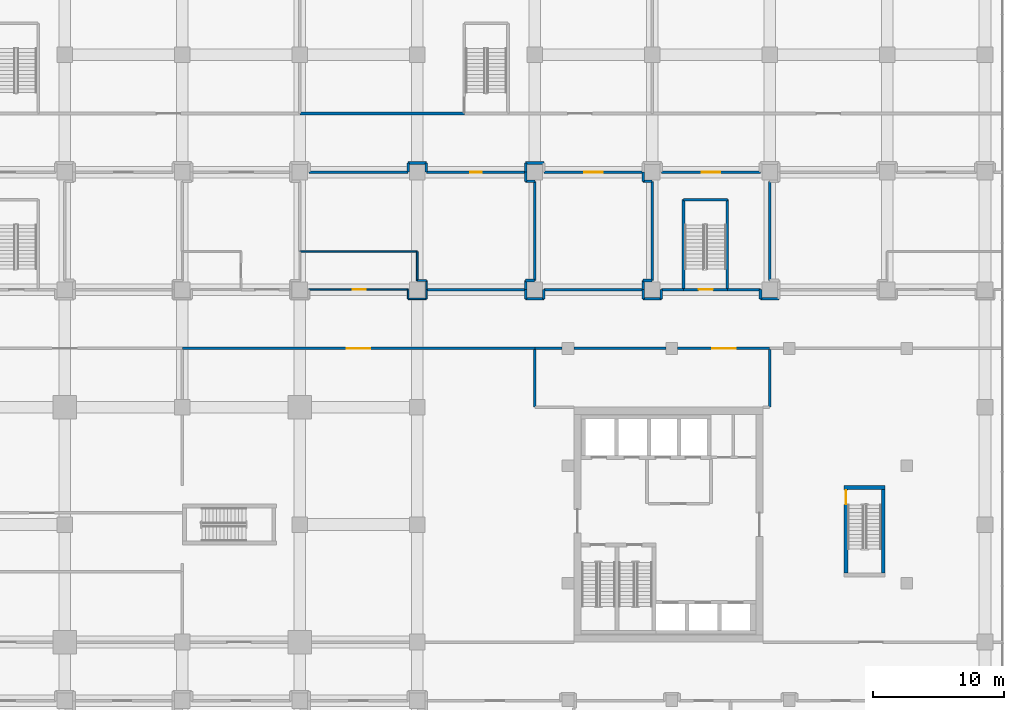
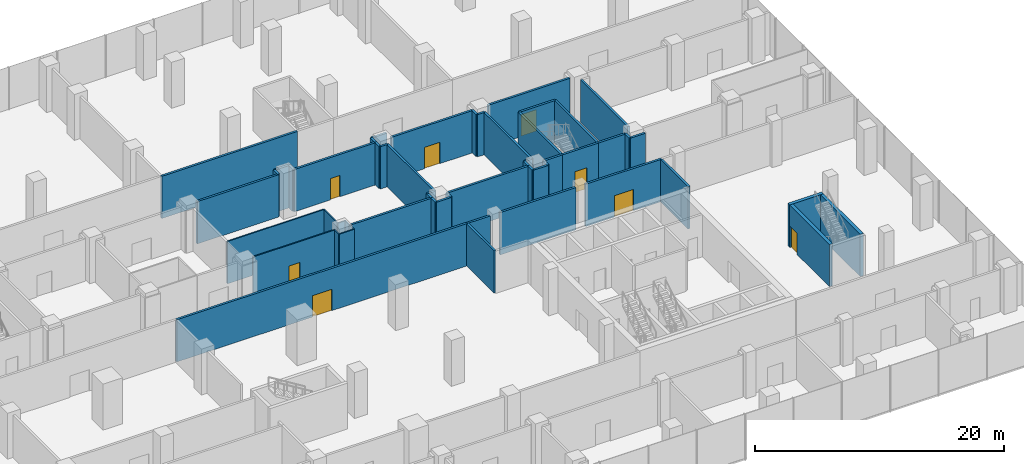
# One storey, part 35 of 43: 54 walls, 8 doors, 8 openings.
"""IFC4 building model written with IfcOpenShell, lengths in metres."""

from ifc_helpers import new_model, si_unit, direction, frame, frame_2d, origin, place, context, subcontext, project, spatial, rectangle, extrude, material, layer, layer_set, type_object, element, fill, save


model = new_model("IFC4")

# Units and contexts
model_context = context("Model", 3, precision=1e-05, world=origin(), true_north=direction((0.0, 1.0)))
body_context = subcontext(model_context, "Body", "Model", "MODEL_VIEW")
ifc_project = project(units=[si_unit("LENGTHUNIT", "METRE"), si_unit("AREAUNIT", "SQUARE_METRE"), si_unit("VOLUMEUNIT", "CUBIC_METRE"), si_unit("PLANEANGLEUNIT", "RADIAN"), si_unit("MASSUNIT", "GRAM", prefix="KILO")], contexts=[model_context])

# Site, building, storey
site_placement = place(None, origin())
site = spatial("IfcSite", under=ifc_project, at=site_placement, CompositionType="ELEMENT")
building_placement = place(site_placement, origin())
building = spatial("IfcBuilding", under=site, at=building_placement, Name="Plateau Cross Towers", CompositionType="ELEMENT")
storey_placement = place(building_placement, frame((0.0, 0.0, 17.300048828125)))
storey = spatial("IfcBuildingStorey", under=building, at=storey_placement, Name="L03", CompositionType="ELEMENT", Elevation=17.300048828125)

# Wall, opening, door
ifc_material_1 = material(Name="Concrete C60/75", Category="concrete")
ifc_layer_1 = layer(ifc_material_1, 0.300048828125)
ifc_layer_set_1 = layer_set([ifc_layer_1], Name="Concrete C60/75")
wall_type_1 = type_object("IfcWallType", Name="Core shaft wall 300", PredefinedType="SHEAR", material=ifc_layer_set_1)
wall_1_placement = place(storey_placement, frame((95.85009765625, 5.300048828125, 0.0), z_axis=(0.0, 0.0, 1.0), x_axis=(0.0, 1.0, 0.0)))
wall_1 = element("IfcWall", 1, at=wall_1_placement, inside=storey, type_object=wall_type_1, Name="B-sb3-W@L03", PredefinedType="SHEAR", context=body_context, shape_type="SweptSolid", body=[
    extrude(rectangle(XDim=6.39990234375, YDim=0.300048828125, at=frame_2d((3.199951171875, 0.0))), origin(), (0.0, 0.0, 1.0), 4.14990234375),
])
opening_1_placement = place(wall_1_placement, frame((5.25, 0.0, 0.0)))
opening_1 = element("IfcOpeningElement", 2, at=opening_1_placement, cuts=wall_1, Name="Opening SD", PredefinedType="OPENING", context=body_context, shape_type="SweptSolid", body=[
    extrude(rectangle(XDim=1.10009765625, YDim=2.10009765625, at=frame_2d((0.550048828125, 1.050048828125))), frame((0.0, 0.159912109375, 0.0), z_axis=(0.0, -1.0, 0.0), x_axis=(1.0, 0.0, 0.0)), (0.0, 0.0, 1.0), 0.320068359375),
])
ifc_material_2 = material(Name="Steel, fire-resisting leaf", Category="steel")
door_type_1 = type_object("IfcDoorType", Name="Stair door 1100", OperationType="NOTDEFINED", PredefinedType="DOOR", material=ifc_material_2)
door_1_placement = place(opening_1_placement, origin())
door_1 = element("IfcDoor", 3, at=door_1_placement, inside=storey, type_object=door_type_1, Name="Stair door SD", OperationType="SINGLE_SWING_LEFT", OverallHeight=2.10009765625, OverallWidth=1.10009765625, PredefinedType="DOOR", context=body_context, shape_type="SweptSolid", body=[
    extrude(rectangle(XDim=1.10009765625, YDim=2.10009765625, at=frame_2d((0.550048828125, 1.050048828125))), frame((0.0, 0.02490234375, 0.0), z_axis=(0.0, -1.0, 0.0), x_axis=(1.0, 0.0, 0.0)), (0.0, 0.0, 1.0), 0.050048828125),
])
fill(opening_1, door_1)

# Walls
wall_2_placement = place(storey_placement, frame((98.699951171875, 5.300048828125, 0.0), z_axis=(0.0, 0.0, 1.0), x_axis=(0.0, 1.0, 0.0)))
element("IfcWall", 4, at=wall_2_placement, inside=storey, type_object=wall_type_1, Name="B-sb3-E@L03", PredefinedType="SHEAR", context=body_context, shape_type="SweptSolid", body=[
    extrude(rectangle(XDim=6.39990234375, YDim=0.300048828125, at=frame_2d((3.199951171875, 0.0))), origin(), (0.0, 0.0, 1.0), 4.14990234375),
])
wall_3_placement = place(storey_placement, frame((95.699951171875, 11.85009765625, 0.0), z_axis=(0.0, 0.0, 1.0), x_axis=(1.0, 0.0, 0.0)))
element("IfcWall", 5, at=wall_3_placement, inside=storey, type_object=wall_type_1, Name="B-sb3-N@L03", PredefinedType="SHEAR", context=body_context, shape_type="SweptSolid", body=[
    extrude(rectangle(XDim=3.150146484375, YDim=0.300048828125, at=frame_2d((1.5751953125, 0.0))), origin(), (0.0, 0.0, 1.0), 4.14990234375),
])

# Wall, opening, door
ifc_material_3 = material(Name="Gypsum board on steel studs, two layers each side", Category="steel")
ifc_layer_2 = layer(ifc_material_3, 0.199951171875)
ifc_layer_set_2 = layer_set([ifc_layer_2], Name="Gypsum board on steel studs, two layers each side")
wall_type_2 = type_object("IfcWallType", Name="Podium compartment wall 200", PredefinedType="PARTITIONING", material=ifc_layer_set_2)
wall_4_placement = place(storey_placement, frame((71.300048828125, 36.0, 0.0), z_axis=(0.0, 0.0, 1.0), x_axis=(-1.0, 0.0, 0.0)))
wall_4 = element("IfcWall", 6, at=wall_4_placement, inside=storey, type_object=wall_type_2, Name="Partition wall", PredefinedType="PARTITIONING", context=body_context, shape_type="SweptSolid", body=[
    extrude(rectangle(XDim=7.60009765625, YDim=0.199951171875, at=frame_2d((3.800048828125, 0.0))), origin(), (0.0, 0.0, 1.0), 4.14990234375),
])
opening_2_placement = place(wall_4_placement, frame((3.35009765625, 0.0, 0.0)))
opening_2 = element("IfcOpeningElement", 7, at=opening_2_placement, cuts=wall_4, Name="Opening 03-27", PredefinedType="OPENING", context=body_context, shape_type="SweptSolid", body=[
    extrude(rectangle(XDim=0.89990234375, YDim=2.10009765625, at=frame_2d((0.449951171875, 1.050048828125))), frame((0.0, 0.10986328125, 0.0), z_axis=(0.0, -1.0, 0.0), x_axis=(1.0, 0.0, 0.0)), (0.0, 0.0, 1.0), 0.219970703125),
])
ifc_material_4 = material(Name="Timber, fire-resisting leaf", Category="wood")
door_type_2 = type_object("IfcDoorType", Name="Podium service door 900", OperationType="NOTDEFINED", PredefinedType="DOOR", material=ifc_material_4)
door_2_placement = place(opening_2_placement, origin())
door_2 = element("IfcDoor", 8, at=door_2_placement, inside=storey, type_object=door_type_2, Name="Door 03-27", OperationType="SINGLE_SWING_LEFT", OverallHeight=2.10009765625, OverallWidth=0.89990234375, PredefinedType="DOOR", context=body_context, shape_type="SweptSolid", body=[
    extrude(rectangle(XDim=0.89990234375, YDim=2.10009765625, at=frame_2d((0.449951171875, 1.050048828125))), frame((0.0, 0.02490234375, 0.0), z_axis=(0.0, -1.0, 0.0), x_axis=(1.0, 0.0, 0.0)), (0.0, 0.0, 1.0), 0.050048828125),
])
fill(opening_2, door_2)

ifc_material_5 = material(Name="Gypsum board on steel studs", Category="steel")
ifc_layer_3 = layer(ifc_material_5, 0.199951171875)
ifc_layer_set_3 = layer_set([ifc_layer_3], Name="Gypsum board on steel studs")
wall_type_3 = type_object("IfcWallType", Name="Podium partition 200", PredefinedType="PARTITIONING", material=ifc_layer_set_3)
wall_5_placement = place(storey_placement, frame((72.0, 22.5, 0.0), z_axis=(0.0, 0.0, 1.0), x_axis=(-1.0, 0.0, 0.0)))
wall_5 = element("IfcWall", 9, at=wall_5_placement, inside=storey, type_object=wall_type_3, Name="Partition wall", PredefinedType="PARTITIONING", context=body_context, shape_type="SweptSolid", body=[
    extrude(rectangle(XDim=27.0, YDim=0.199951171875, at=frame_2d((13.5, 0.0))), origin(), (0.0, 0.0, 1.0), 4.14990234375),
])
opening_3_placement = place(wall_5_placement, frame((12.60009765625, 0.0, 0.0)))
opening_3 = element("IfcOpeningElement", 10, at=opening_3_placement, cuts=wall_5, Name="Opening 03-35", PredefinedType="OPENING", context=body_context, shape_type="SweptSolid", body=[
    extrude(rectangle(XDim=1.800048828125, YDim=2.10009765625, at=frame_2d((0.89990234375, 1.050048828125))), frame((0.0, 0.10986328125, 0.0), z_axis=(0.0, -1.0, 0.0), x_axis=(1.0, 0.0, 0.0)), (0.0, 0.0, 1.0), 0.219970703125),
])
ifc_material_6 = material(Name="Aluminium frame, toughened glass", Category="aluminium")
door_type_3 = type_object("IfcDoorType", Name="Podium door pair 1800", OperationType="NOTDEFINED", PredefinedType="DOOR", material=ifc_material_6)
door_3_placement = place(opening_3_placement, origin())
door_3 = element("IfcDoor", 11, at=door_3_placement, inside=storey, type_object=door_type_3, Name="Door 03-35", OperationType="DOUBLE_DOOR_SINGLE_SWING", OverallHeight=2.10009765625, OverallWidth=1.800048828125, PredefinedType="DOOR", context=body_context, shape_type="SweptSolid", body=[
    extrude(rectangle(XDim=1.800048828125, YDim=2.10009765625, at=frame_2d((0.89990234375, 1.050048828125))), frame((0.0, 0.02490234375, 0.0), z_axis=(0.0, -1.0, 0.0), x_axis=(1.0, 0.0, 0.0)), (0.0, 0.0, 1.0), 0.050048828125),
])
fill(opening_3, door_3)

# Walls
wall_6_placement = place(storey_placement, frame((63.699951171875, 36.0, 0.0), z_axis=(0.0, 0.0, 1.0), x_axis=(0.0, 1.0, 0.0)))
element("IfcWall", 12, at=wall_6_placement, inside=storey, type_object=wall_type_3, Name="Partition wall", PredefinedType="PARTITIONING", context=body_context, shape_type="SweptSolid", body=[
    extrude(rectangle(XDim=0.699951171875, YDim=0.199951171875, at=frame_2d((0.35009765625, 0.0))), origin(), (0.0, 0.0, 1.0), 4.14990234375),
])
wall_7_placement = place(storey_placement, frame((63.699951171875, 36.699951171875, 0.0), z_axis=(0.0, 0.0, 1.0), x_axis=(-1.0, 0.0, 0.0)))
element("IfcWall", 13, at=wall_7_placement, inside=storey, type_object=wall_type_3, Name="Partition wall", PredefinedType="PARTITIONING", context=body_context, shape_type="SweptSolid", body=[
    extrude(rectangle(XDim=1.39990234375, YDim=0.199951171875, at=frame_2d((0.699951171875, 0.0))), origin(), (0.0, 0.0, 1.0), 4.14990234375),
])
wall_8_placement = place(storey_placement, frame((62.300048828125, 36.699951171875, 0.0), z_axis=(0.0, 0.0, 1.0), x_axis=(0.0, -1.0, 0.0)))
element("IfcWall", 14, at=wall_8_placement, inside=storey, type_object=wall_type_3, Name="Partition wall", PredefinedType="PARTITIONING", context=body_context, shape_type="SweptSolid", body=[
    extrude(rectangle(XDim=0.699951171875, YDim=0.199951171875, at=frame_2d((0.35009765625, 0.0))), origin(), (0.0, 0.0, 1.0), 4.14990234375),
])
wall_9_placement = place(storey_placement, frame((62.300048828125, 36.0, 0.0), z_axis=(0.0, 0.0, 1.0), x_axis=(-1.0, 0.0, 0.0)))
element("IfcWall", 15, at=wall_9_placement, inside=storey, type_object=wall_type_3, Name="Partition wall", PredefinedType="PARTITIONING", context=body_context, shape_type="SweptSolid", body=[
    extrude(rectangle(XDim=7.60009765625, YDim=0.199951171875, at=frame_2d((3.800048828125, 0.0))), origin(), (0.0, 0.0, 1.0), 4.14990234375),
])

# Wall, opening, door
wall_10_placement = place(storey_placement, frame((90.0, 22.5, 0.0), z_axis=(0.0, 0.0, 1.0), x_axis=(-1.0, 0.0, 0.0)))
wall_10 = element("IfcWall", 16, at=wall_10_placement, inside=storey, type_object=wall_type_3, Name="Partition wall", PredefinedType="PARTITIONING", context=body_context, shape_type="SweptSolid", body=[
    extrude(rectangle(XDim=7.050048828125, YDim=0.199951171875, at=frame_2d((3.52490234375, 0.0))), origin(), (0.0, 0.0, 1.0), 4.14990234375),
])
opening_4_placement = place(wall_10_placement, frame((2.60009765625, 0.0, 0.0)))
opening_4 = element("IfcOpeningElement", 17, at=opening_4_placement, cuts=wall_10, Name="Opening 03-41", PredefinedType="OPENING", context=body_context, shape_type="SweptSolid", body=[
    extrude(rectangle(XDim=1.800048828125, YDim=2.10009765625, at=frame_2d((0.89990234375, 1.050048828125))), frame((0.0, 0.10986328125, 0.0), z_axis=(0.0, -1.0, 0.0), x_axis=(1.0, 0.0, 0.0)), (0.0, 0.0, 1.0), 0.219970703125),
])
door_4_placement = place(opening_4_placement, origin())
door_4 = element("IfcDoor", 18, at=door_4_placement, inside=storey, type_object=door_type_3, Name="Door 03-41", OperationType="DOUBLE_DOOR_SINGLE_SWING", OverallHeight=2.10009765625, OverallWidth=1.800048828125, PredefinedType="DOOR", context=body_context, shape_type="SweptSolid", body=[
    extrude(rectangle(XDim=1.800048828125, YDim=2.10009765625, at=frame_2d((0.89990234375, 1.050048828125))), frame((0.0, 0.02490234375, 0.0), z_axis=(0.0, -1.0, 0.0), x_axis=(1.0, 0.0, 0.0)), (0.0, 0.0, 1.0), 0.050048828125),
])
fill(opening_4, door_4)

# Walls
wall_11_placement = place(storey_placement, frame((82.050048828125, 22.5, 0.0), z_axis=(0.0, 0.0, 1.0), x_axis=(-1.0, 0.0, 0.0)))
element("IfcWall", 19, at=wall_11_placement, inside=storey, type_object=wall_type_3, Name="Partition wall", PredefinedType="PARTITIONING", context=body_context, shape_type="SweptSolid", body=[
    extrude(rectangle(XDim=7.050048828125, YDim=0.199951171875, at=frame_2d((3.52490234375, 0.0))), origin(), (0.0, 0.0, 1.0), 4.14990234375),
])
wall_12_placement = place(storey_placement, frame((74.10009765625, 22.5, 0.0), z_axis=(0.0, 0.0, 1.0), x_axis=(-1.0, 0.0, 0.0)))
element("IfcWall", 20, at=wall_12_placement, inside=storey, type_object=wall_type_3, Name="Partition wall", PredefinedType="PARTITIONING", context=body_context, shape_type="SweptSolid", body=[
    extrude(rectangle(XDim=2.10009765625, YDim=0.199951171875, at=frame_2d((1.050048828125, 0.0))), origin(), (0.0, 0.0, 1.0), 4.14990234375),
])

# Wall, opening, door
wall_13_placement = place(storey_placement, frame((89.300048828125, 36.0, 0.0), z_axis=(0.0, 0.0, 1.0), x_axis=(-1.0, 0.0, 0.0)))
wall_13 = element("IfcWall", 21, at=wall_13_placement, inside=storey, type_object=wall_type_3, Name="Partition wall", PredefinedType="PARTITIONING", context=body_context, shape_type="SweptSolid", body=[
    extrude(rectangle(XDim=7.60009765625, YDim=0.199951171875, at=frame_2d((3.800048828125, 0.0))), origin(), (0.0, 0.0, 1.0), 4.14990234375),
])
opening_5_placement = place(wall_13_placement, frame((3.10009765625, 0.0, 0.0)))
opening_5 = element("IfcOpeningElement", 22, at=opening_5_placement, cuts=wall_13, Name="Opening 03-29", PredefinedType="OPENING", context=body_context, shape_type="SweptSolid", body=[
    extrude(rectangle(XDim=1.39990234375, YDim=2.10009765625, at=frame_2d((0.699951171875, 1.050048828125))), frame((0.0, 0.10986328125, 0.0), z_axis=(0.0, -1.0, 0.0), x_axis=(1.0, 0.0, 0.0)), (0.0, 0.0, 1.0), 0.219970703125),
])
ifc_material_7 = material(Name="Timber, hospital grade leaf", Category="wood")
door_type_4 = type_object("IfcDoorType", Name="Clinic bed access door 1400x2100", OperationType="NOTDEFINED", PredefinedType="DOOR", material=ifc_material_7)
door_5_placement = place(opening_5_placement, origin())
door_5 = element("IfcDoor", 23, at=door_5_placement, inside=storey, type_object=door_type_4, Name="Door 03-29", OperationType="SINGLE_SWING_LEFT", OverallHeight=2.10009765625, OverallWidth=1.39990234375, PredefinedType="DOOR", context=body_context, shape_type="SweptSolid", body=[
    extrude(rectangle(XDim=1.39990234375, YDim=2.10009765625, at=frame_2d((0.699951171875, 1.050048828125))), frame((0.0, 0.02490234375, 0.0), z_axis=(0.0, -1.0, 0.0), x_axis=(1.0, 0.0, 0.0)), (0.0, 0.0, 1.0), 0.050048828125),
])
fill(opening_5, door_5)

# Wall
wall_14_placement = place(storey_placement, frame((54.0, 40.5, 0.0), z_axis=(0.0, 0.0, 1.0), x_axis=(1.0, 0.0, 0.0)))
element("IfcWall", 24, at=wall_14_placement, inside=storey, type_object=wall_type_3, Name="Partition wall", PredefinedType="PARTITIONING", context=body_context, shape_type="SweptSolid", body=[
    extrude(rectangle(XDim=12.60009765625, YDim=0.199951171875, at=frame_2d((6.300048828125, 0.0))), origin(), (0.0, 0.0, 1.0), 4.14990234375),
])

# Wall, opening, door
wall_15_placement = place(storey_placement, frame((80.300048828125, 36.0, 0.0), z_axis=(0.0, 0.0, 1.0), x_axis=(-1.0, 0.0, 0.0)))
wall_15 = element("IfcWall", 25, at=wall_15_placement, inside=storey, type_object=wall_type_3, Name="Partition wall", PredefinedType="PARTITIONING", context=body_context, shape_type="SweptSolid", body=[
    extrude(rectangle(XDim=7.60009765625, YDim=0.199951171875, at=frame_2d((3.800048828125, 0.0))), origin(), (0.0, 0.0, 1.0), 4.14990234375),
])
opening_6_placement = place(wall_15_placement, frame((3.10009765625, 0.0, 0.0)))
opening_6 = element("IfcOpeningElement", 26, at=opening_6_placement, cuts=wall_15, Name="Opening 03-28", PredefinedType="OPENING", context=body_context, shape_type="SweptSolid", body=[
    extrude(rectangle(XDim=1.39990234375, YDim=2.10009765625, at=frame_2d((0.699951171875, 1.050048828125))), frame((0.0, 0.10986328125, 0.0), z_axis=(0.0, -1.0, 0.0), x_axis=(1.0, 0.0, 0.0)), (0.0, 0.0, 1.0), 0.219970703125),
])
door_6_placement = place(opening_6_placement, origin())
door_6 = element("IfcDoor", 27, at=door_6_placement, inside=storey, type_object=door_type_4, Name="Door 03-28", OperationType="SINGLE_SWING_LEFT", OverallHeight=2.10009765625, OverallWidth=1.39990234375, PredefinedType="DOOR", context=body_context, shape_type="SweptSolid", body=[
    extrude(rectangle(XDim=1.39990234375, YDim=2.10009765625, at=frame_2d((0.699951171875, 1.050048828125))), frame((0.0, 0.02490234375, 0.0), z_axis=(0.0, -1.0, 0.0), x_axis=(1.0, 0.0, 0.0)), (0.0, 0.0, 1.0), 0.050048828125),
])
fill(opening_6, door_6)

# Walls
wall_16_placement = place(storey_placement, frame((72.699951171875, 36.699951171875, 0.0), z_axis=(0.0, 0.0, 1.0), x_axis=(-1.0, 0.0, 0.0)))
element("IfcWall", 28, at=wall_16_placement, inside=storey, type_object=wall_type_3, Name="Partition wall", PredefinedType="PARTITIONING", context=body_context, shape_type="SweptSolid", body=[
    extrude(rectangle(XDim=1.39990234375, YDim=0.199951171875, at=frame_2d((0.699951171875, 0.0))), origin(), (0.0, 0.0, 1.0), 4.14990234375),
])
for number, where, z_axis, x_axis, name in (
    (29, (71.300048828125, 36.699951171875, 0.0), (0.0, 0.0, 1.0), (0.0, -1.0, 0.0), "Partition wall"),
    (30, (71.300048828125, 27.0, 0.0), (0.0, 0.0, 1.0), (0.0, -1.0, 0.0), "Partition wall"),
):
    element("IfcWall", number, at=place(storey_placement, frame(where, z_axis=z_axis, x_axis=x_axis)), inside=storey, type_object=wall_type_3, Name=name, PredefinedType="PARTITIONING", context=body_context, shape_type="SweptSolid", body=[
        extrude(rectangle(XDim=0.699951171875, YDim=0.199951171875, at=frame_2d((0.35009765625, 0.0))), origin(), (0.0, 0.0, 1.0), 4.14990234375),
    ])
wall_17_placement = place(storey_placement, frame((71.300048828125, 26.300048828125, 0.0), z_axis=(0.0, 0.0, 1.0), x_axis=(1.0, 0.0, 0.0)))
element("IfcWall", 31, at=wall_17_placement, inside=storey, type_object=wall_type_3, Name="Partition wall", PredefinedType="PARTITIONING", context=body_context, shape_type="SweptSolid", body=[
    extrude(rectangle(XDim=1.39990234375, YDim=0.199951171875, at=frame_2d((0.699951171875, 0.0))), origin(), (0.0, 0.0, 1.0), 4.14990234375),
])
wall_18_placement = place(storey_placement, frame((72.699951171875, 26.300048828125, 0.0), z_axis=(0.0, 0.0, 1.0), x_axis=(0.0, 1.0, 0.0)))
element("IfcWall", 32, at=wall_18_placement, inside=storey, type_object=wall_type_3, Name="Partition wall", PredefinedType="PARTITIONING", context=body_context, shape_type="SweptSolid", body=[
    extrude(rectangle(XDim=0.699951171875, YDim=0.199951171875, at=frame_2d((0.35009765625, 0.0))), origin(), (0.0, 0.0, 1.0), 4.14990234375),
])
wall_19_placement = place(storey_placement, frame((72.699951171875, 27.0, 0.0), z_axis=(0.0, 0.0, 1.0), x_axis=(1.0, 0.0, 0.0)))
element("IfcWall", 33, at=wall_19_placement, inside=storey, type_object=wall_type_3, Name="Partition wall", PredefinedType="PARTITIONING", context=body_context, shape_type="SweptSolid", body=[
    extrude(rectangle(XDim=7.60009765625, YDim=0.199951171875, at=frame_2d((3.800048828125, 0.0))), origin(), (0.0, 0.0, 1.0), 4.14990234375),
])
for number, where, z_axis, x_axis, name in (
    (34, (80.300048828125, 36.0, 0.0), (0.0, 0.0, 1.0), (0.0, -1.0, 0.0), "Partition wall"),
    (35, (80.300048828125, 35.300048828125, 0.0), (0.0, 0.0, 1.0), (1.0, 0.0, 0.0), "Partition wall"),
):
    element("IfcWall", number, at=place(storey_placement, frame(where, z_axis=z_axis, x_axis=x_axis)), inside=storey, type_object=wall_type_3, Name=name, PredefinedType="PARTITIONING", context=body_context, shape_type="SweptSolid", body=[
        extrude(rectangle(XDim=0.699951171875, YDim=0.199951171875, at=frame_2d((0.35009765625, 0.0))), origin(), (0.0, 0.0, 1.0), 4.14990234375),
    ])
wall_20_placement = place(storey_placement, frame((81.0, 35.300048828125, 0.0), z_axis=(0.0, 0.0, 1.0), x_axis=(0.0, -1.0, 0.0)))
element("IfcWall", 36, at=wall_20_placement, inside=storey, type_object=wall_type_3, Name="Partition wall", PredefinedType="PARTITIONING", context=body_context, shape_type="SweptSolid", body=[
    extrude(rectangle(XDim=7.60009765625, YDim=0.199951171875, at=frame_2d((3.800048828125, 0.0))), origin(), (0.0, 0.0, 1.0), 4.14990234375),
])
for number, where, z_axis, x_axis, name in (
    (37, (81.0, 27.699951171875, 0.0), (0.0, 0.0, 1.0), (-1.0, 0.0, 0.0), "Partition wall"),
    (38, (80.300048828125, 27.699951171875, 0.0), (0.0, 0.0, 1.0), (0.0, -1.0, 0.0), "Partition wall"),
    (39, (71.300048828125, 36.0, 0.0), (0.0, 0.0, 1.0), (0.0, -1.0, 0.0), "Partition wall"),
    (40, (71.300048828125, 35.300048828125, 0.0), (0.0, 0.0, 1.0), (1.0, 0.0, 0.0), "Partition wall"),
):
    element("IfcWall", number, at=place(storey_placement, frame(where, z_axis=z_axis, x_axis=x_axis)), inside=storey, type_object=wall_type_3, Name=name, PredefinedType="PARTITIONING", context=body_context, shape_type="SweptSolid", body=[
        extrude(rectangle(XDim=0.699951171875, YDim=0.199951171875, at=frame_2d((0.35009765625, 0.0))), origin(), (0.0, 0.0, 1.0), 4.14990234375),
    ])
wall_21_placement = place(storey_placement, frame((72.0, 35.300048828125, 0.0), z_axis=(0.0, 0.0, 1.0), x_axis=(0.0, -1.0, 0.0)))
element("IfcWall", 41, at=wall_21_placement, inside=storey, type_object=wall_type_3, Name="Partition wall", PredefinedType="PARTITIONING", context=body_context, shape_type="SweptSolid", body=[
    extrude(rectangle(XDim=7.60009765625, YDim=0.199951171875, at=frame_2d((3.800048828125, 0.0))), origin(), (0.0, 0.0, 1.0), 4.14990234375),
])
for number, where, z_axis, x_axis, name in (
    (42, (72.0, 27.699951171875, 0.0), (0.0, 0.0, 1.0), (-1.0, 0.0, 0.0), "Partition wall"),
    (43, (71.300048828125, 27.699951171875, 0.0), (0.0, 0.0, 1.0), (0.0, -1.0, 0.0), "Partition wall"),
):
    element("IfcWall", number, at=place(storey_placement, frame(where, z_axis=z_axis, x_axis=x_axis)), inside=storey, type_object=wall_type_3, Name=name, PredefinedType="PARTITIONING", context=body_context, shape_type="SweptSolid", body=[
        extrude(rectangle(XDim=0.699951171875, YDim=0.199951171875, at=frame_2d((0.35009765625, 0.0))), origin(), (0.0, 0.0, 1.0), 4.14990234375),
    ])
wall_22_placement = place(storey_placement, frame((90.0, 35.300048828125, 0.0), z_axis=(0.0, 0.0, 1.0), x_axis=(0.0, -1.0, 0.0)))
element("IfcWall", 44, at=wall_22_placement, inside=storey, type_object=wall_type_3, Name="Partition wall", PredefinedType="PARTITIONING", context=body_context, shape_type="SweptSolid", body=[
    extrude(rectangle(XDim=7.60009765625, YDim=0.199951171875, at=frame_2d((3.800048828125, 0.0))), origin(), (0.0, 0.0, 1.0), 4.14990234375),
])
wall_23_placement = place(storey_placement, frame((63.800048828125, 27.0, 0.0), z_axis=(0.0, 0.0, 1.0), x_axis=(1.0, 0.0, 0.0)))
element("IfcWall", 45, at=wall_23_placement, inside=storey, type_object=wall_type_3, Name="Partition wall", PredefinedType="PARTITIONING", context=body_context, shape_type="SweptSolid", body=[
    extrude(rectangle(XDim=7.39990234375, YDim=0.199951171875, at=frame_2d((3.699951171875, 0.0))), origin(), (0.0, 0.0, 1.0), 4.14990234375),
])
wall_24_placement = place(storey_placement, frame((72.0, 18.0, 0.0), z_axis=(0.0, 0.0, 1.0), x_axis=(0.0, 1.0, 0.0)))
element("IfcWall", 46, at=wall_24_placement, inside=storey, type_object=wall_type_3, Name="Partition wall", PredefinedType="PARTITIONING", context=body_context, shape_type="SweptSolid", body=[
    extrude(rectangle(XDim=4.39990234375, YDim=0.199951171875, at=frame_2d((2.199951171875, 0.0))), origin(), (0.0, 0.0, 1.0), 4.14990234375),
])
wall_25_placement = place(storey_placement, frame((86.75, 27.0, 0.0), z_axis=(0.0, 0.0, 1.0), x_axis=(1.0, 0.0, 0.0)))
element("IfcWall", 47, at=wall_25_placement, inside=storey, type_object=wall_type_3, Name="Partition wall", PredefinedType="PARTITIONING", context=body_context, shape_type="SweptSolid", body=[
    extrude(rectangle(XDim=2.550048828125, YDim=0.199951171875, at=frame_2d((1.27490234375, 0.0))), origin(), (0.0, 0.0, 1.0), 4.14990234375),
])
wall_26_placement = place(storey_placement, frame((89.300048828125, 27.0, 0.0), z_axis=(0.0, 0.0, 1.0), x_axis=(0.0, -1.0, 0.0)))
element("IfcWall", 48, at=wall_26_placement, inside=storey, type_object=wall_type_3, Name="Partition wall", PredefinedType="PARTITIONING", context=body_context, shape_type="SweptSolid", body=[
    extrude(rectangle(XDim=0.699951171875, YDim=0.199951171875, at=frame_2d((0.35009765625, 0.0))), origin(), (0.0, 0.0, 1.0), 4.14990234375),
])
wall_27_placement = place(storey_placement, frame((89.300048828125, 26.300048828125, 0.0), z_axis=(0.0, 0.0, 1.0), x_axis=(1.0, 0.0, 0.0)))
element("IfcWall", 49, at=wall_27_placement, inside=storey, type_object=wall_type_3, Name="Partition wall", PredefinedType="PARTITIONING", context=body_context, shape_type="SweptSolid", body=[
    extrude(rectangle(XDim=1.39990234375, YDim=0.199951171875, at=frame_2d((0.699951171875, 0.0))), origin(), (0.0, 0.0, 1.0), 4.14990234375),
])
wall_28_placement = place(storey_placement, frame((80.300048828125, 27.0, 0.0), z_axis=(0.0, 0.0, 1.0), x_axis=(0.0, -1.0, 0.0)))
element("IfcWall", 50, at=wall_28_placement, inside=storey, type_object=wall_type_3, Name="Partition wall", PredefinedType="PARTITIONING", context=body_context, shape_type="SweptSolid", body=[
    extrude(rectangle(XDim=0.699951171875, YDim=0.199951171875, at=frame_2d((0.35009765625, 0.0))), origin(), (0.0, 0.0, 1.0), 4.14990234375),
])
wall_29_placement = place(storey_placement, frame((80.300048828125, 26.300048828125, 0.0), z_axis=(0.0, 0.0, 1.0), x_axis=(1.0, 0.0, 0.0)))
element("IfcWall", 51, at=wall_29_placement, inside=storey, type_object=wall_type_3, Name="Partition wall", PredefinedType="PARTITIONING", context=body_context, shape_type="SweptSolid", body=[
    extrude(rectangle(XDim=1.39990234375, YDim=0.199951171875, at=frame_2d((0.699951171875, 0.0))), origin(), (0.0, 0.0, 1.0), 4.14990234375),
])
wall_30_placement = place(storey_placement, frame((81.699951171875, 26.300048828125, 0.0), z_axis=(0.0, 0.0, 1.0), x_axis=(0.0, 1.0, 0.0)))
element("IfcWall", 52, at=wall_30_placement, inside=storey, type_object=wall_type_3, Name="Partition wall", PredefinedType="PARTITIONING", context=body_context, shape_type="SweptSolid", body=[
    extrude(rectangle(XDim=0.699951171875, YDim=0.199951171875, at=frame_2d((0.35009765625, 0.0))), origin(), (0.0, 0.0, 1.0), 4.14990234375),
])
wall_31_placement = place(storey_placement, frame((81.699951171875, 27.0, 0.0), z_axis=(0.0, 0.0, 1.0), x_axis=(1.0, 0.0, 0.0)))
element("IfcWall", 53, at=wall_31_placement, inside=storey, type_object=wall_type_3, Name="Partition wall", PredefinedType="PARTITIONING", context=body_context, shape_type="SweptSolid", body=[
    extrude(rectangle(XDim=1.699951171875, YDim=0.199951171875, at=frame_2d((0.85009765625, 0.0))), origin(), (0.0, 0.0, 1.0), 4.14990234375),
])
wall_32_placement = place(storey_placement, frame((90.0, 22.39990234375, 0.0), z_axis=(0.0, 0.0, 1.0), x_axis=(0.0, -1.0, 0.0)))
element("IfcWall", 54, at=wall_32_placement, inside=storey, type_object=wall_type_3, Name="Partition wall", PredefinedType="PARTITIONING", context=body_context, shape_type="SweptSolid", body=[
    extrude(rectangle(XDim=4.39990234375, YDim=0.199951171875, at=frame_2d((2.199951171875, 0.0))), origin(), (0.0, 0.0, 1.0), 4.14990234375),
])
ifc_material_8 = material(Name="Fire-rated plasterboard shaft wall system")
ifc_layer_4 = layer(ifc_material_8, 0.199951171875)
ifc_layer_set_4 = layer_set([ifc_layer_4], Name="Fire-rated plasterboard shaft wall system")
wall_type_4 = type_object("IfcWallType", Name="Podium stair shaft wall 200", PredefinedType="PARTITIONING", material=ifc_layer_set_4)
wall_33_placement = place(storey_placement, frame((83.39990234375, 27.0, 0.0), z_axis=(0.0, 0.0, 1.0), x_axis=(0.0, 1.0, 0.0)))
element("IfcWall", 55, at=wall_33_placement, inside=storey, type_object=wall_type_4, Name="Partition wall", PredefinedType="PARTITIONING", context=body_context, shape_type="SweptSolid", body=[
    extrude(rectangle(XDim=6.89990234375, YDim=0.199951171875, at=frame_2d((3.449951171875, 0.0))), origin(), (0.0, 0.0, 1.0), 4.14990234375),
])
wall_34_placement = place(storey_placement, frame((83.39990234375, 33.89990234375, 0.0), z_axis=(0.0, 0.0, 1.0), x_axis=(1.0, 0.0, 0.0)))
element("IfcWall", 56, at=wall_34_placement, inside=storey, type_object=wall_type_4, Name="Partition wall", PredefinedType="PARTITIONING", context=body_context, shape_type="SweptSolid", body=[
    extrude(rectangle(XDim=3.35009765625, YDim=0.199951171875, at=frame_2d((1.675048828125, 0.0))), origin(), (0.0, 0.0, 1.0), 4.14990234375),
])
wall_35_placement = place(storey_placement, frame((86.75, 33.89990234375, 0.0), z_axis=(0.0, 0.0, 1.0), x_axis=(0.0, -1.0, 0.0)))
element("IfcWall", 57, at=wall_35_placement, inside=storey, type_object=wall_type_4, Name="Partition wall", PredefinedType="PARTITIONING", context=body_context, shape_type="SweptSolid", body=[
    extrude(rectangle(XDim=6.89990234375, YDim=0.199951171875, at=frame_2d((3.449951171875, 0.0))), origin(), (0.0, 0.0, 1.0), 4.14990234375),
])

# Wall, opening, door
wall_36_placement = place(storey_placement, frame((86.75, 27.0, 0.0), z_axis=(0.0, 0.0, 1.0), x_axis=(-1.0, 0.0, 0.0)))
wall_36 = element("IfcWall", 58, at=wall_36_placement, inside=storey, type_object=wall_type_4, Name="Partition wall", PredefinedType="PARTITIONING", context=body_context, shape_type="SweptSolid", body=[
    extrude(rectangle(XDim=3.35009765625, YDim=0.199951171875, at=frame_2d((1.675048828125, 0.0))), origin(), (0.0, 0.0, 1.0), 4.14990234375),
])
opening_7_placement = place(wall_36_placement, frame((1.10009765625, 0.0, 0.0)))
opening_7 = element("IfcOpeningElement", 59, at=opening_7_placement, cuts=wall_36, Name="Opening 03-05", PredefinedType="OPENING", context=body_context, shape_type="SweptSolid", body=[
    extrude(rectangle(XDim=1.10009765625, YDim=2.10009765625, at=frame_2d((0.550048828125, 1.050048828125))), frame((0.0, 0.10986328125, 0.0), z_axis=(0.0, -1.0, 0.0), x_axis=(1.0, 0.0, 0.0)), (0.0, 0.0, 1.0), 0.219970703125),
])
door_type_5 = type_object("IfcDoorType", Name="Podium stair door 1100", OperationType="NOTDEFINED", PredefinedType="DOOR", material=ifc_material_2)
door_7_placement = place(opening_7_placement, origin())
door_7 = element("IfcDoor", 60, at=door_7_placement, inside=storey, type_object=door_type_5, Name="Door 03-05", OperationType="SINGLE_SWING_LEFT", OverallHeight=2.10009765625, OverallWidth=1.10009765625, PredefinedType="DOOR", context=body_context, shape_type="SweptSolid", body=[
    extrude(rectangle(XDim=1.10009765625, YDim=2.10009765625, at=frame_2d((0.550048828125, 1.050048828125))), frame((0.0, 0.02490234375, 0.0), z_axis=(0.0, -1.0, 0.0), x_axis=(1.0, 0.0, 0.0)), (0.0, 0.0, 1.0), 0.050048828125),
])
fill(opening_7, door_7)

ifc_material_9 = material(Name="Moisture-resistant board on steel studs, tiled one side", Category="steel")
ifc_layer_5 = layer(ifc_material_9, 0.1201171875)
ifc_layer_set_5 = layer_set([ifc_layer_5], Name="Moisture-resistant board on steel studs, tiled one side")
wall_type_5 = type_object("IfcWallType", Name="Sanitary partition 120", PredefinedType="PARTITIONING", material=ifc_layer_set_5)
wall_37_placement = place(storey_placement, frame((54.699951171875, 27.0, 0.0), z_axis=(0.0, 0.0, 1.0), x_axis=(1.0, 0.0, 0.0)))
wall_37 = element("IfcWall", 61, at=wall_37_placement, inside=storey, type_object=wall_type_5, Name="Partition wall", PredefinedType="PARTITIONING", context=body_context, shape_type="SweptSolid", body=[
    extrude(rectangle(XDim=7.60009765625, YDim=0.1201171875, at=frame_2d((3.800048828125, 0.0))), origin(), (0.0, 0.0, 1.0), 4.14990234375),
])
opening_8_placement = place(wall_37_placement, frame((3.35009765625, 0.0, 0.0)))
opening_8 = element("IfcOpeningElement", 62, at=opening_8_placement, cuts=wall_37, Name="Opening 03-26", PredefinedType="OPENING", context=body_context, shape_type="SweptSolid", body=[
    extrude(rectangle(XDim=1.0, YDim=2.10009765625, at=frame_2d((0.5, 1.050048828125))), frame((0.0, 0.070068359375, 0.0), z_axis=(0.0, -1.0, 0.0), x_axis=(1.0, 0.0, 0.0)), (0.0, 0.0, 1.0), 0.14013671875),
])
ifc_material_10 = material(Name="Timber leaf", Category="wood")
door_type_6 = type_object("IfcDoorType", Name="Podium clinic door 1000", OperationType="NOTDEFINED", PredefinedType="DOOR", material=ifc_material_10)
door_8_placement = place(opening_8_placement, origin())
door_8 = element("IfcDoor", 63, at=door_8_placement, inside=storey, type_object=door_type_6, Name="Door 03-26", OperationType="SINGLE_SWING_LEFT", OverallHeight=2.10009765625, OverallWidth=1.0, PredefinedType="DOOR", context=body_context, shape_type="SweptSolid", body=[
    extrude(rectangle(XDim=1.0, YDim=2.10009765625, at=frame_2d((0.5, 1.050048828125))), frame((0.0, 0.02490234375, 0.0), z_axis=(0.0, -1.0, 0.0), x_axis=(1.0, 0.0, 0.0)), (0.0, 0.0, 1.0), 0.050048828125),
])
fill(opening_8, door_8)

# Walls
wall_38_placement = place(storey_placement, frame((62.300048828125, 27.0, 0.0), z_axis=(0.0, 0.0, 1.0), x_axis=(0.0, -1.0, 0.0)))
element("IfcWall", 64, at=wall_38_placement, inside=storey, type_object=wall_type_5, Name="Partition wall", PredefinedType="PARTITIONING", context=body_context, shape_type="SweptSolid", body=[
    extrude(rectangle(XDim=0.699951171875, YDim=0.1201171875, at=frame_2d((0.35009765625, 0.0))), origin(), (0.0, 0.0, 1.0), 4.14990234375),
])
wall_39_placement = place(storey_placement, frame((62.300048828125, 26.300048828125, 0.0), z_axis=(0.0, 0.0, 1.0), x_axis=(1.0, 0.0, 0.0)))
element("IfcWall", 65, at=wall_39_placement, inside=storey, type_object=wall_type_5, Name="Partition wall", PredefinedType="PARTITIONING", context=body_context, shape_type="SweptSolid", body=[
    extrude(rectangle(XDim=1.39990234375, YDim=0.1201171875, at=frame_2d((0.699951171875, 0.0))), origin(), (0.0, 0.0, 1.0), 4.14990234375),
])
wall_40_placement = place(storey_placement, frame((63.699951171875, 26.300048828125, 0.0), z_axis=(0.0, 0.0, 1.0), x_axis=(0.0, 1.0, 0.0)))
element("IfcWall", 66, at=wall_40_placement, inside=storey, type_object=wall_type_5, Name="Partition wall", PredefinedType="PARTITIONING", context=body_context, shape_type="SweptSolid", body=[
    extrude(rectangle(XDim=0.699951171875, YDim=0.1201171875, at=frame_2d((0.35009765625, 0.0))), origin(), (0.0, 0.0, 1.0), 4.14990234375),
])
wall_41_placement = place(storey_placement, frame((54.0, 29.910888671875, 0.0), z_axis=(0.0, 0.0, 1.0), x_axis=(1.0, 0.0, 0.0)))
element("IfcWall", 67, at=wall_41_placement, inside=storey, type_object=wall_type_5, Name="Partition wall", PredefinedType="PARTITIONING", context=body_context, shape_type="SweptSolid", body=[
    extrude(rectangle(XDim=9.0, YDim=0.1201171875, at=frame_2d((4.5, 0.0))), origin(), (0.0, 0.0, 1.0), 4.14990234375),
])
wall_42_placement = place(storey_placement, frame((63.0, 29.910888671875, 0.0), z_axis=(0.0, 0.0, 1.0), x_axis=(0.0, -1.0, 0.0)))
element("IfcWall", 68, at=wall_42_placement, inside=storey, type_object=wall_type_5, Name="Partition wall", PredefinedType="PARTITIONING", context=body_context, shape_type="SweptSolid", body=[
    extrude(rectangle(XDim=2.2109375, YDim=0.1201171875, at=frame_2d((1.10546875, 0.0))), origin(), (0.0, 0.0, 1.0), 4.14990234375),
])
for number, where, z_axis, x_axis, name in (
    (69, (63.0, 27.699951171875, 0.0), (0.0, 0.0, 1.0), (1.0, 0.0, 0.0), "Partition wall"),
    (70, (63.699951171875, 27.699951171875, 0.0), (0.0, 0.0, 1.0), (0.0, -1.0, 0.0), "Partition wall"),
):
    element("IfcWall", number, at=place(storey_placement, frame(where, z_axis=z_axis, x_axis=x_axis)), inside=storey, type_object=wall_type_5, Name=name, PredefinedType="PARTITIONING", context=body_context, shape_type="SweptSolid", body=[
        extrude(rectangle(XDim=0.699951171875, YDim=0.1201171875, at=frame_2d((0.35009765625, 0.0))), origin(), (0.0, 0.0, 1.0), 4.14990234375),
    ])

save(model, "model.ifc")
